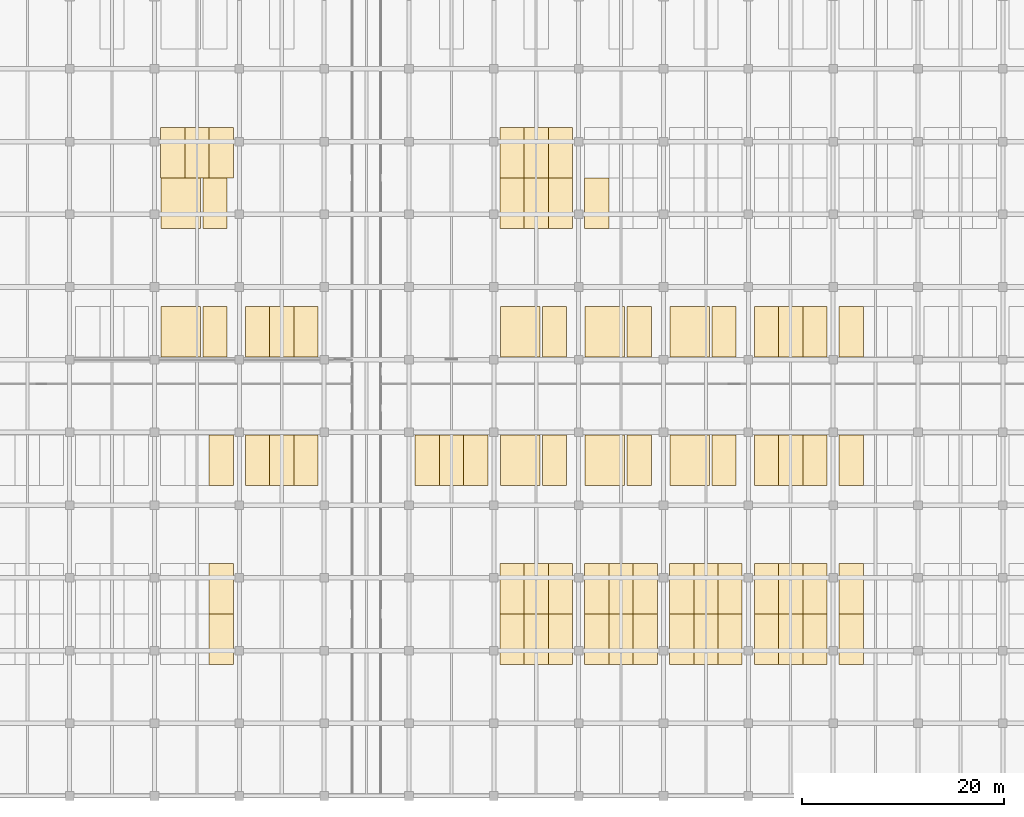
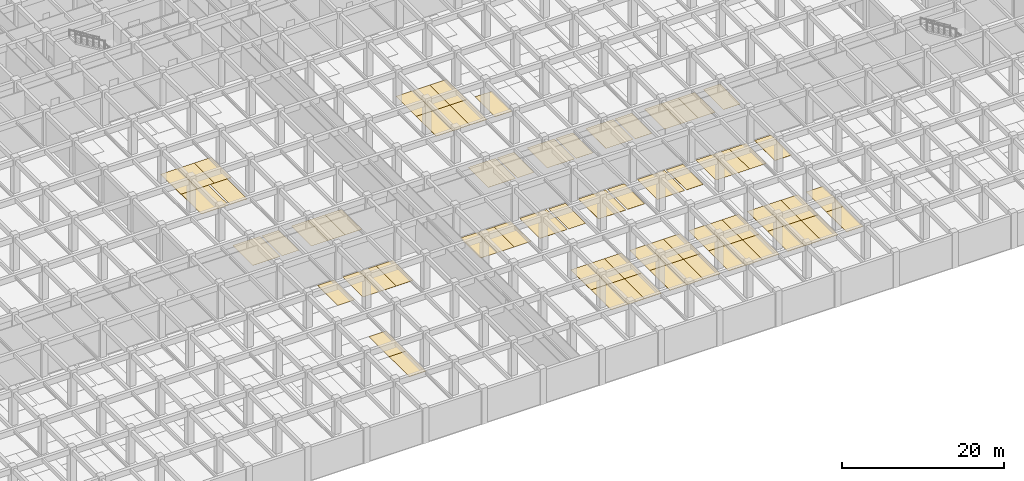
# One storey, part 42 of 48: 72 coverings.
"""IFC4 building model written with IfcOpenShell, lengths in metres."""

from ifc_helpers import new_model, si_unit, direction, frame, origin, place, context, subcontext, project, spatial, polyline, outline, extrude, material, layer, layer_set, type_object, element, save


model = new_model("IFC4")

# Units and contexts
model_context = context("Model", 3, precision=1e-05, world=origin(), true_north=direction((0.0, 1.0)))
body_context = subcontext(model_context, "Body", "Model", "MODEL_VIEW")
ifc_project = project(units=[si_unit("LENGTHUNIT", "METRE"), si_unit("AREAUNIT", "SQUARE_METRE"), si_unit("VOLUMEUNIT", "CUBIC_METRE"), si_unit("PLANEANGLEUNIT", "RADIAN"), si_unit("MASSUNIT", "GRAM", prefix="KILO")], contexts=[model_context])

# Site, building, storey
site_placement = place(None, origin())
site = spatial("IfcSite", under=ifc_project, at=site_placement, CompositionType="ELEMENT")
building_placement = place(site_placement, origin())
building = spatial("IfcBuilding", under=site, at=building_placement, Name="Chengyuan Square Courthouse", CompositionType="ELEMENT")
storey_placement = place(building_placement, frame((0.0, 0.0, -5.39990234375)))
storey = spatial("IfcBuildingStorey", under=building, at=storey_placement, Name="B01", CompositionType="ELEMENT", Elevation=-5.39990234375)

# Coverings
ifc_material_1 = material(Name="Thermoplastic Parking Bay Marking Paint")
ifc_layer_1 = layer(ifc_material_1, 0.010009765625)
ifc_layer_set_1 = layer_set([ifc_layer_1], Name="Thermoplastic Parking Bay Marking Paint")
covering_type_1 = type_object("IfcCoveringType", Name="PKB-01", PredefinedType="FLOORING", material=ifc_layer_set_1)
covering_1_placement = place(storey_placement, origin())
element("IfcCovering", 1, at=covering_1_placement, inside=storey, type_object=covering_type_1, Name="Parking Bay Marking B01-P015", PredefinedType="FLOORING", context=body_context, shape_type="SweptSolid", body=[
    extrude(outline(polyline([(64.199951171875, 30.75), (66.60009765625, 30.75), (66.60009765625, 35.75), (64.199951171875, 35.75), (64.199951171875, 30.75)])), origin(), (0.0, 0.0, 1.0), 0.010009765625),
])
covering_2_placement = place(storey_placement, origin())
element("IfcCovering", 2, at=covering_2_placement, inside=storey, type_object=covering_type_1, Name="Parking Bay Marking B01-P016", PredefinedType="FLOORING", context=body_context, shape_type="SweptSolid", body=[
    extrude(outline(polyline([(67.800048828125, 30.75), (70.199951171875, 30.75), (70.199951171875, 35.75), (67.800048828125, 35.75), (67.800048828125, 30.75)])), origin(), (0.0, 0.0, 1.0), 0.010009765625),
])
covering_3_placement = place(storey_placement, origin())
element("IfcCovering", 3, at=covering_3_placement, inside=storey, type_object=covering_type_1, Name="Parking Bay Marking B01-P017", PredefinedType="FLOORING", context=body_context, shape_type="SweptSolid", body=[
    extrude(outline(polyline([(70.199951171875, 30.75), (72.60009765625, 30.75), (72.60009765625, 35.75), (70.199951171875, 35.75), (70.199951171875, 30.75)])), origin(), (0.0, 0.0, 1.0), 0.010009765625),
])
covering_4_placement = place(storey_placement, origin())
element("IfcCovering", 4, at=covering_4_placement, inside=storey, type_object=covering_type_1, Name="Parking Bay Marking B01-P018", PredefinedType="FLOORING", context=body_context, shape_type="SweptSolid", body=[
    extrude(outline(polyline([(72.60009765625, 30.75), (75.0, 30.75), (75.0, 35.75), (72.60009765625, 35.75), (72.60009765625, 30.75)])), origin(), (0.0, 0.0, 1.0), 0.010009765625),
])
covering_5_placement = place(storey_placement, origin())
element("IfcCovering", 5, at=covering_5_placement, inside=storey, type_object=covering_type_1, Name="Parking Bay Marking B01-P039", PredefinedType="FLOORING", context=body_context, shape_type="SweptSolid", body=[
    extrude(outline(polyline([(64.199951171875, 18.0), (66.60009765625, 18.0), (66.60009765625, 23.0), (64.199951171875, 23.0), (64.199951171875, 18.0)])), origin(), (0.0, 0.0, 1.0), 0.010009765625),
])
covering_6_placement = place(storey_placement, origin())
element("IfcCovering", 6, at=covering_6_placement, inside=storey, type_object=covering_type_1, Name="Parking Bay Marking B01-P060", PredefinedType="FLOORING", context=body_context, shape_type="SweptSolid", body=[
    extrude(outline(polyline([(64.199951171875, 13.0), (66.60009765625, 13.0), (66.60009765625, 18.0), (64.199951171875, 18.0), (64.199951171875, 13.0)])), origin(), (0.0, 0.0, 1.0), 0.010009765625),
])
covering_7_placement = place(storey_placement, origin())
element("IfcCovering", 7, at=covering_7_placement, inside=storey, type_object=covering_type_1, Name="Parking Bay Marking B01-P061", PredefinedType="FLOORING", context=body_context, shape_type="SweptSolid", body=[
    extrude(outline(polyline([(84.60009765625, 30.75), (87.0, 30.75), (87.0, 35.75), (84.60009765625, 35.75), (84.60009765625, 30.75)])), origin(), (0.0, 0.0, 1.0), 0.010009765625),
])
covering_8_placement = place(storey_placement, origin())
element("IfcCovering", 8, at=covering_8_placement, inside=storey, type_object=covering_type_1, Name="Parking Bay Marking B01-P062", PredefinedType="FLOORING", context=body_context, shape_type="SweptSolid", body=[
    extrude(outline(polyline([(87.0, 30.75), (89.39990234375, 30.75), (89.39990234375, 35.75), (87.0, 35.75), (87.0, 30.75)])), origin(), (0.0, 0.0, 1.0), 0.010009765625),
])
covering_9_placement = place(storey_placement, origin())
element("IfcCovering", 9, at=covering_9_placement, inside=storey, type_object=covering_type_1, Name="Parking Bay Marking B01-P063", PredefinedType="FLOORING", context=body_context, shape_type="SweptSolid", body=[
    extrude(outline(polyline([(89.39990234375, 30.75), (91.800048828125, 30.75), (91.800048828125, 35.75), (89.39990234375, 35.75), (89.39990234375, 30.75)])), origin(), (0.0, 0.0, 1.0), 0.010009765625),
])
covering_10_placement = place(storey_placement, origin())
element("IfcCovering", 10, at=covering_10_placement, inside=storey, type_object=covering_type_1, Name="Parking Bay Marking B01-P064", PredefinedType="FLOORING", context=body_context, shape_type="SweptSolid", body=[
    extrude(outline(polyline([(97.199951171875, 30.75), (99.60009765625, 30.75), (99.60009765625, 35.75), (97.199951171875, 35.75), (97.199951171875, 30.75)])), origin(), (0.0, 0.0, 1.0), 0.010009765625),
])
covering_11_placement = place(storey_placement, origin())
element("IfcCovering", 11, at=covering_11_placement, inside=storey, type_object=covering_type_1, Name="Parking Bay Marking B01-P065", PredefinedType="FLOORING", context=body_context, shape_type="SweptSolid", body=[
    extrude(outline(polyline([(105.60009765625, 30.75), (108.0, 30.75), (108.0, 35.75), (105.60009765625, 35.75), (105.60009765625, 30.75)])), origin(), (0.0, 0.0, 1.0), 0.010009765625),
])
covering_12_placement = place(storey_placement, origin())
element("IfcCovering", 12, at=covering_12_placement, inside=storey, type_object=covering_type_1, Name="Parking Bay Marking B01-P066", PredefinedType="FLOORING", context=body_context, shape_type="SweptSolid", body=[
    extrude(outline(polyline([(114.0, 30.75), (116.39990234375, 30.75), (116.39990234375, 35.75), (114.0, 35.75), (114.0, 30.75)])), origin(), (0.0, 0.0, 1.0), 0.010009765625),
])
covering_13_placement = place(storey_placement, origin())
element("IfcCovering", 13, at=covering_13_placement, inside=storey, type_object=covering_type_1, Name="Parking Bay Marking B01-P067", PredefinedType="FLOORING", context=body_context, shape_type="SweptSolid", body=[
    extrude(outline(polyline([(118.199951171875, 30.75), (120.60009765625, 30.75), (120.60009765625, 35.75), (118.199951171875, 35.75), (118.199951171875, 30.75)])), origin(), (0.0, 0.0, 1.0), 0.010009765625),
])
covering_14_placement = place(storey_placement, origin())
element("IfcCovering", 14, at=covering_14_placement, inside=storey, type_object=covering_type_1, Name="Parking Bay Marking B01-P068", PredefinedType="FLOORING", context=body_context, shape_type="SweptSolid", body=[
    extrude(outline(polyline([(120.60009765625, 30.75), (123.0, 30.75), (123.0, 35.75), (120.60009765625, 35.75), (120.60009765625, 30.75)])), origin(), (0.0, 0.0, 1.0), 0.010009765625),
])
covering_15_placement = place(storey_placement, origin())
element("IfcCovering", 15, at=covering_15_placement, inside=storey, type_object=covering_type_1, Name="Parking Bay Marking B01-P069", PredefinedType="FLOORING", context=body_context, shape_type="SweptSolid", body=[
    extrude(outline(polyline([(123.0, 30.75), (125.39990234375, 30.75), (125.39990234375, 35.75), (123.0, 35.75), (123.0, 30.75)])), origin(), (0.0, 0.0, 1.0), 0.010009765625),
])
covering_16_placement = place(storey_placement, origin())
element("IfcCovering", 16, at=covering_16_placement, inside=storey, type_object=covering_type_1, Name="Parking Bay Marking B01-P070", PredefinedType="FLOORING", context=body_context, shape_type="SweptSolid", body=[
    extrude(outline(polyline([(126.60009765625, 30.75), (129.0, 30.75), (129.0, 35.75), (126.60009765625, 35.75), (126.60009765625, 30.75)])), origin(), (0.0, 0.0, 1.0), 0.010009765625),
])
covering_17_placement = place(storey_placement, origin())
element("IfcCovering", 17, at=covering_17_placement, inside=storey, type_object=covering_type_1, Name="Parking Bay Marking B01-P082", PredefinedType="FLOORING", context=body_context, shape_type="SweptSolid", body=[
    extrude(outline(polyline([(93.0, 18.0), (95.39990234375, 18.0), (95.39990234375, 23.0), (93.0, 23.0), (93.0, 18.0)])), origin(), (0.0, 0.0, 1.0), 0.010009765625),
])
covering_18_placement = place(storey_placement, origin())
element("IfcCovering", 18, at=covering_18_placement, inside=storey, type_object=covering_type_1, Name="Parking Bay Marking B01-P083", PredefinedType="FLOORING", context=body_context, shape_type="SweptSolid", body=[
    extrude(outline(polyline([(95.39990234375, 18.0), (97.800048828125, 18.0), (97.800048828125, 23.0), (95.39990234375, 23.0), (95.39990234375, 18.0)])), origin(), (0.0, 0.0, 1.0), 0.010009765625),
])
covering_19_placement = place(storey_placement, origin())
element("IfcCovering", 19, at=covering_19_placement, inside=storey, type_object=covering_type_1, Name="Parking Bay Marking B01-P084", PredefinedType="FLOORING", context=body_context, shape_type="SweptSolid", body=[
    extrude(outline(polyline([(97.800048828125, 18.0), (100.199951171875, 18.0), (100.199951171875, 23.0), (97.800048828125, 23.0), (97.800048828125, 18.0)])), origin(), (0.0, 0.0, 1.0), 0.010009765625),
])
covering_20_placement = place(storey_placement, origin())
element("IfcCovering", 20, at=covering_20_placement, inside=storey, type_object=covering_type_1, Name="Parking Bay Marking B01-P085", PredefinedType="FLOORING", context=body_context, shape_type="SweptSolid", body=[
    extrude(outline(polyline([(101.39990234375, 18.0), (103.800048828125, 18.0), (103.800048828125, 23.0), (101.39990234375, 23.0), (101.39990234375, 18.0)])), origin(), (0.0, 0.0, 1.0), 0.010009765625),
])
covering_21_placement = place(storey_placement, origin())
element("IfcCovering", 21, at=covering_21_placement, inside=storey, type_object=covering_type_1, Name="Parking Bay Marking B01-P086", PredefinedType="FLOORING", context=body_context, shape_type="SweptSolid", body=[
    extrude(outline(polyline([(103.800048828125, 18.0), (106.199951171875, 18.0), (106.199951171875, 23.0), (103.800048828125, 23.0), (103.800048828125, 18.0)])), origin(), (0.0, 0.0, 1.0), 0.010009765625),
])
covering_22_placement = place(storey_placement, origin())
element("IfcCovering", 22, at=covering_22_placement, inside=storey, type_object=covering_type_1, Name="Parking Bay Marking B01-P087", PredefinedType="FLOORING", context=body_context, shape_type="SweptSolid", body=[
    extrude(outline(polyline([(106.199951171875, 18.0), (108.60009765625, 18.0), (108.60009765625, 23.0), (106.199951171875, 23.0), (106.199951171875, 18.0)])), origin(), (0.0, 0.0, 1.0), 0.010009765625),
])
covering_23_placement = place(storey_placement, origin())
element("IfcCovering", 23, at=covering_23_placement, inside=storey, type_object=covering_type_1, Name="Parking Bay Marking B01-P088", PredefinedType="FLOORING", context=body_context, shape_type="SweptSolid", body=[
    extrude(outline(polyline([(109.800048828125, 18.0), (112.199951171875, 18.0), (112.199951171875, 23.0), (109.800048828125, 23.0), (109.800048828125, 18.0)])), origin(), (0.0, 0.0, 1.0), 0.010009765625),
])
covering_24_placement = place(storey_placement, origin())
element("IfcCovering", 24, at=covering_24_placement, inside=storey, type_object=covering_type_1, Name="Parking Bay Marking B01-P089", PredefinedType="FLOORING", context=body_context, shape_type="SweptSolid", body=[
    extrude(outline(polyline([(112.199951171875, 18.0), (114.60009765625, 18.0), (114.60009765625, 23.0), (112.199951171875, 23.0), (112.199951171875, 18.0)])), origin(), (0.0, 0.0, 1.0), 0.010009765625),
])
covering_25_placement = place(storey_placement, origin())
element("IfcCovering", 25, at=covering_25_placement, inside=storey, type_object=covering_type_1, Name="Parking Bay Marking B01-P090", PredefinedType="FLOORING", context=body_context, shape_type="SweptSolid", body=[
    extrude(outline(polyline([(114.60009765625, 18.0), (117.0, 18.0), (117.0, 23.0), (114.60009765625, 23.0), (114.60009765625, 18.0)])), origin(), (0.0, 0.0, 1.0), 0.010009765625),
])
covering_26_placement = place(storey_placement, origin())
element("IfcCovering", 26, at=covering_26_placement, inside=storey, type_object=covering_type_1, Name="Parking Bay Marking B01-P091", PredefinedType="FLOORING", context=body_context, shape_type="SweptSolid", body=[
    extrude(outline(polyline([(118.199951171875, 18.0), (120.60009765625, 18.0), (120.60009765625, 23.0), (118.199951171875, 23.0), (118.199951171875, 18.0)])), origin(), (0.0, 0.0, 1.0), 0.010009765625),
])
covering_27_placement = place(storey_placement, origin())
element("IfcCovering", 27, at=covering_27_placement, inside=storey, type_object=covering_type_1, Name="Parking Bay Marking B01-P092", PredefinedType="FLOORING", context=body_context, shape_type="SweptSolid", body=[
    extrude(outline(polyline([(120.60009765625, 18.0), (123.0, 18.0), (123.0, 23.0), (120.60009765625, 23.0), (120.60009765625, 18.0)])), origin(), (0.0, 0.0, 1.0), 0.010009765625),
])
covering_28_placement = place(storey_placement, origin())
element("IfcCovering", 28, at=covering_28_placement, inside=storey, type_object=covering_type_1, Name="Parking Bay Marking B01-P093", PredefinedType="FLOORING", context=body_context, shape_type="SweptSolid", body=[
    extrude(outline(polyline([(123.0, 18.0), (125.39990234375, 18.0), (125.39990234375, 23.0), (123.0, 23.0), (123.0, 18.0)])), origin(), (0.0, 0.0, 1.0), 0.010009765625),
])
covering_29_placement = place(storey_placement, origin())
element("IfcCovering", 29, at=covering_29_placement, inside=storey, type_object=covering_type_1, Name="Parking Bay Marking B01-P094", PredefinedType="FLOORING", context=body_context, shape_type="SweptSolid", body=[
    extrude(outline(polyline([(126.60009765625, 18.0), (129.0, 18.0), (129.0, 23.0), (126.60009765625, 23.0), (126.60009765625, 18.0)])), origin(), (0.0, 0.0, 1.0), 0.010009765625),
])
covering_30_placement = place(storey_placement, origin())
element("IfcCovering", 30, at=covering_30_placement, inside=storey, type_object=covering_type_1, Name="Parking Bay Marking B01-P106", PredefinedType="FLOORING", context=body_context, shape_type="SweptSolid", body=[
    extrude(outline(polyline([(93.0, 13.0), (95.39990234375, 13.0), (95.39990234375, 18.0), (93.0, 18.0), (93.0, 13.0)])), origin(), (0.0, 0.0, 1.0), 0.010009765625),
])
covering_31_placement = place(storey_placement, origin())
element("IfcCovering", 31, at=covering_31_placement, inside=storey, type_object=covering_type_1, Name="Parking Bay Marking B01-P107", PredefinedType="FLOORING", context=body_context, shape_type="SweptSolid", body=[
    extrude(outline(polyline([(95.39990234375, 13.0), (97.800048828125, 13.0), (97.800048828125, 18.0), (95.39990234375, 18.0), (95.39990234375, 13.0)])), origin(), (0.0, 0.0, 1.0), 0.010009765625),
])
covering_32_placement = place(storey_placement, origin())
element("IfcCovering", 32, at=covering_32_placement, inside=storey, type_object=covering_type_1, Name="Parking Bay Marking B01-P108", PredefinedType="FLOORING", context=body_context, shape_type="SweptSolid", body=[
    extrude(outline(polyline([(97.800048828125, 13.0), (100.199951171875, 13.0), (100.199951171875, 18.0), (97.800048828125, 18.0), (97.800048828125, 13.0)])), origin(), (0.0, 0.0, 1.0), 0.010009765625),
])
covering_33_placement = place(storey_placement, origin())
element("IfcCovering", 33, at=covering_33_placement, inside=storey, type_object=covering_type_1, Name="Parking Bay Marking B01-P109", PredefinedType="FLOORING", context=body_context, shape_type="SweptSolid", body=[
    extrude(outline(polyline([(101.39990234375, 13.0), (103.800048828125, 13.0), (103.800048828125, 18.0), (101.39990234375, 18.0), (101.39990234375, 13.0)])), origin(), (0.0, 0.0, 1.0), 0.010009765625),
])
covering_34_placement = place(storey_placement, origin())
element("IfcCovering", 34, at=covering_34_placement, inside=storey, type_object=covering_type_1, Name="Parking Bay Marking B01-P110", PredefinedType="FLOORING", context=body_context, shape_type="SweptSolid", body=[
    extrude(outline(polyline([(103.800048828125, 13.0), (106.199951171875, 13.0), (106.199951171875, 18.0), (103.800048828125, 18.0), (103.800048828125, 13.0)])), origin(), (0.0, 0.0, 1.0), 0.010009765625),
])
covering_35_placement = place(storey_placement, origin())
element("IfcCovering", 35, at=covering_35_placement, inside=storey, type_object=covering_type_1, Name="Parking Bay Marking B01-P111", PredefinedType="FLOORING", context=body_context, shape_type="SweptSolid", body=[
    extrude(outline(polyline([(106.199951171875, 13.0), (108.60009765625, 13.0), (108.60009765625, 18.0), (106.199951171875, 18.0), (106.199951171875, 13.0)])), origin(), (0.0, 0.0, 1.0), 0.010009765625),
])
covering_36_placement = place(storey_placement, origin())
element("IfcCovering", 36, at=covering_36_placement, inside=storey, type_object=covering_type_1, Name="Parking Bay Marking B01-P112", PredefinedType="FLOORING", context=body_context, shape_type="SweptSolid", body=[
    extrude(outline(polyline([(109.800048828125, 13.0), (112.199951171875, 13.0), (112.199951171875, 18.0), (109.800048828125, 18.0), (109.800048828125, 13.0)])), origin(), (0.0, 0.0, 1.0), 0.010009765625),
])
covering_37_placement = place(storey_placement, origin())
element("IfcCovering", 37, at=covering_37_placement, inside=storey, type_object=covering_type_1, Name="Parking Bay Marking B01-P113", PredefinedType="FLOORING", context=body_context, shape_type="SweptSolid", body=[
    extrude(outline(polyline([(112.199951171875, 13.0), (114.60009765625, 13.0), (114.60009765625, 18.0), (112.199951171875, 18.0), (112.199951171875, 13.0)])), origin(), (0.0, 0.0, 1.0), 0.010009765625),
])
covering_38_placement = place(storey_placement, origin())
element("IfcCovering", 38, at=covering_38_placement, inside=storey, type_object=covering_type_1, Name="Parking Bay Marking B01-P114", PredefinedType="FLOORING", context=body_context, shape_type="SweptSolid", body=[
    extrude(outline(polyline([(114.60009765625, 13.0), (117.0, 13.0), (117.0, 18.0), (114.60009765625, 18.0), (114.60009765625, 13.0)])), origin(), (0.0, 0.0, 1.0), 0.010009765625),
])
covering_39_placement = place(storey_placement, origin())
element("IfcCovering", 39, at=covering_39_placement, inside=storey, type_object=covering_type_1, Name="Parking Bay Marking B01-P115", PredefinedType="FLOORING", context=body_context, shape_type="SweptSolid", body=[
    extrude(outline(polyline([(118.199951171875, 13.0), (120.60009765625, 13.0), (120.60009765625, 18.0), (118.199951171875, 18.0), (118.199951171875, 13.0)])), origin(), (0.0, 0.0, 1.0), 0.010009765625),
])
covering_40_placement = place(storey_placement, origin())
element("IfcCovering", 40, at=covering_40_placement, inside=storey, type_object=covering_type_1, Name="Parking Bay Marking B01-P116", PredefinedType="FLOORING", context=body_context, shape_type="SweptSolid", body=[
    extrude(outline(polyline([(120.60009765625, 13.0), (123.0, 13.0), (123.0, 18.0), (120.60009765625, 18.0), (120.60009765625, 13.0)])), origin(), (0.0, 0.0, 1.0), 0.010009765625),
])
covering_41_placement = place(storey_placement, origin())
element("IfcCovering", 41, at=covering_41_placement, inside=storey, type_object=covering_type_1, Name="Parking Bay Marking B01-P117", PredefinedType="FLOORING", context=body_context, shape_type="SweptSolid", body=[
    extrude(outline(polyline([(123.0, 13.0), (125.39990234375, 13.0), (125.39990234375, 18.0), (123.0, 18.0), (123.0, 13.0)])), origin(), (0.0, 0.0, 1.0), 0.010009765625),
])
covering_42_placement = place(storey_placement, origin())
element("IfcCovering", 42, at=covering_42_placement, inside=storey, type_object=covering_type_1, Name="Parking Bay Marking B01-P118", PredefinedType="FLOORING", context=body_context, shape_type="SweptSolid", body=[
    extrude(outline(polyline([(126.60009765625, 13.0), (129.0, 13.0), (129.0, 18.0), (126.60009765625, 18.0), (126.60009765625, 13.0)])), origin(), (0.0, 0.0, 1.0), 0.010009765625),
])
covering_43_placement = place(storey_placement, origin())
element("IfcCovering", 43, at=covering_43_placement, inside=storey, type_object=covering_type_1, Name="Parking Bay Marking B01-P133", PredefinedType="FLOORING", context=body_context, shape_type="SweptSolid", body=[
    extrude(outline(polyline([(63.60009765625, 43.449951171875), (66.0, 43.449951171875), (66.0, 48.449951171875), (63.60009765625, 48.449951171875), (63.60009765625, 43.449951171875)])), origin(), (0.0, 0.0, 1.0), 0.010009765625),
])
covering_44_placement = place(storey_placement, origin())
element("IfcCovering", 44, at=covering_44_placement, inside=storey, type_object=covering_type_1, Name="Parking Bay Marking B01-P134", PredefinedType="FLOORING", context=body_context, shape_type="SweptSolid", body=[
    extrude(outline(polyline([(67.800048828125, 43.449951171875), (70.199951171875, 43.449951171875), (70.199951171875, 48.449951171875), (67.800048828125, 48.449951171875), (67.800048828125, 43.449951171875)])), origin(), (0.0, 0.0, 1.0), 0.010009765625),
])
covering_45_placement = place(storey_placement, origin())
element("IfcCovering", 45, at=covering_45_placement, inside=storey, type_object=covering_type_1, Name="Parking Bay Marking B01-P135", PredefinedType="FLOORING", context=body_context, shape_type="SweptSolid", body=[
    extrude(outline(polyline([(70.199951171875, 43.449951171875), (72.60009765625, 43.449951171875), (72.60009765625, 48.449951171875), (70.199951171875, 48.449951171875), (70.199951171875, 43.449951171875)])), origin(), (0.0, 0.0, 1.0), 0.010009765625),
])
covering_46_placement = place(storey_placement, origin())
element("IfcCovering", 46, at=covering_46_placement, inside=storey, type_object=covering_type_1, Name="Parking Bay Marking B01-P136", PredefinedType="FLOORING", context=body_context, shape_type="SweptSolid", body=[
    extrude(outline(polyline([(72.60009765625, 43.449951171875), (75.0, 43.449951171875), (75.0, 48.449951171875), (72.60009765625, 48.449951171875), (72.60009765625, 43.449951171875)])), origin(), (0.0, 0.0, 1.0), 0.010009765625),
])
covering_47_placement = place(storey_placement, origin())
element("IfcCovering", 47, at=covering_47_placement, inside=storey, type_object=covering_type_1, Name="Parking Bay Marking B01-P140", PredefinedType="FLOORING", context=body_context, shape_type="SweptSolid", body=[
    extrude(outline(polyline([(63.60009765625, 56.199951171875), (66.0, 56.199951171875), (66.0, 61.199951171875), (63.60009765625, 61.199951171875), (63.60009765625, 56.199951171875)])), origin(), (0.0, 0.0, 1.0), 0.010009765625),
])
covering_48_placement = place(storey_placement, origin())
element("IfcCovering", 48, at=covering_48_placement, inside=storey, type_object=covering_type_1, Name="Parking Bay Marking B01-P141", PredefinedType="FLOORING", context=body_context, shape_type="SweptSolid", body=[
    extrude(outline(polyline([(59.39990234375, 61.199951171875), (61.800048828125, 61.199951171875), (61.800048828125, 66.199951171875), (59.39990234375, 66.199951171875), (59.39990234375, 61.199951171875)])), origin(), (0.0, 0.0, 1.0), 0.010009765625),
])
covering_49_placement = place(storey_placement, origin())
element("IfcCovering", 49, at=covering_49_placement, inside=storey, type_object=covering_type_1, Name="Parking Bay Marking B01-P142", PredefinedType="FLOORING", context=body_context, shape_type="SweptSolid", body=[
    extrude(outline(polyline([(61.800048828125, 61.199951171875), (64.199951171875, 61.199951171875), (64.199951171875, 66.199951171875), (61.800048828125, 66.199951171875), (61.800048828125, 61.199951171875)])), origin(), (0.0, 0.0, 1.0), 0.010009765625),
])
covering_50_placement = place(storey_placement, origin())
element("IfcCovering", 50, at=covering_50_placement, inside=storey, type_object=covering_type_1, Name="Parking Bay Marking B01-P143", PredefinedType="FLOORING", context=body_context, shape_type="SweptSolid", body=[
    extrude(outline(polyline([(64.199951171875, 61.199951171875), (66.60009765625, 61.199951171875), (66.60009765625, 66.199951171875), (64.199951171875, 66.199951171875), (64.199951171875, 61.199951171875)])), origin(), (0.0, 0.0, 1.0), 0.010009765625),
])
covering_51_placement = place(storey_placement, origin())
element("IfcCovering", 51, at=covering_51_placement, inside=storey, type_object=covering_type_1, Name="Parking Bay Marking B01-P144", PredefinedType="FLOORING", context=body_context, shape_type="SweptSolid", body=[
    extrude(outline(polyline([(97.199951171875, 43.449951171875), (99.60009765625, 43.449951171875), (99.60009765625, 48.449951171875), (97.199951171875, 48.449951171875), (97.199951171875, 43.449951171875)])), origin(), (0.0, 0.0, 1.0), 0.010009765625),
])
covering_52_placement = place(storey_placement, origin())
element("IfcCovering", 52, at=covering_52_placement, inside=storey, type_object=covering_type_1, Name="Parking Bay Marking B01-P145", PredefinedType="FLOORING", context=body_context, shape_type="SweptSolid", body=[
    extrude(outline(polyline([(105.60009765625, 43.449951171875), (108.0, 43.449951171875), (108.0, 48.449951171875), (105.60009765625, 48.449951171875), (105.60009765625, 43.449951171875)])), origin(), (0.0, 0.0, 1.0), 0.010009765625),
])
covering_53_placement = place(storey_placement, origin())
element("IfcCovering", 53, at=covering_53_placement, inside=storey, type_object=covering_type_1, Name="Parking Bay Marking B01-P146", PredefinedType="FLOORING", context=body_context, shape_type="SweptSolid", body=[
    extrude(outline(polyline([(114.0, 43.449951171875), (116.39990234375, 43.449951171875), (116.39990234375, 48.449951171875), (114.0, 48.449951171875), (114.0, 43.449951171875)])), origin(), (0.0, 0.0, 1.0), 0.010009765625),
])
covering_54_placement = place(storey_placement, origin())
element("IfcCovering", 54, at=covering_54_placement, inside=storey, type_object=covering_type_1, Name="Parking Bay Marking B01-P147", PredefinedType="FLOORING", context=body_context, shape_type="SweptSolid", body=[
    extrude(outline(polyline([(118.199951171875, 43.449951171875), (120.60009765625, 43.449951171875), (120.60009765625, 48.449951171875), (118.199951171875, 48.449951171875), (118.199951171875, 43.449951171875)])), origin(), (0.0, 0.0, 1.0), 0.010009765625),
])
covering_55_placement = place(storey_placement, origin())
element("IfcCovering", 55, at=covering_55_placement, inside=storey, type_object=covering_type_1, Name="Parking Bay Marking B01-P148", PredefinedType="FLOORING", context=body_context, shape_type="SweptSolid", body=[
    extrude(outline(polyline([(120.60009765625, 43.449951171875), (123.0, 43.449951171875), (123.0, 48.449951171875), (120.60009765625, 48.449951171875), (120.60009765625, 43.449951171875)])), origin(), (0.0, 0.0, 1.0), 0.010009765625),
])
covering_56_placement = place(storey_placement, origin())
element("IfcCovering", 56, at=covering_56_placement, inside=storey, type_object=covering_type_1, Name="Parking Bay Marking B01-P149", PredefinedType="FLOORING", context=body_context, shape_type="SweptSolid", body=[
    extrude(outline(polyline([(123.0, 43.449951171875), (125.39990234375, 43.449951171875), (125.39990234375, 48.449951171875), (123.0, 48.449951171875), (123.0, 43.449951171875)])), origin(), (0.0, 0.0, 1.0), 0.010009765625),
])
covering_57_placement = place(storey_placement, origin())
element("IfcCovering", 57, at=covering_57_placement, inside=storey, type_object=covering_type_1, Name="Parking Bay Marking B01-P150", PredefinedType="FLOORING", context=body_context, shape_type="SweptSolid", body=[
    extrude(outline(polyline([(126.60009765625, 43.449951171875), (129.0, 43.449951171875), (129.0, 48.449951171875), (126.60009765625, 48.449951171875), (126.60009765625, 43.449951171875)])), origin(), (0.0, 0.0, 1.0), 0.010009765625),
])
covering_58_placement = place(storey_placement, origin())
element("IfcCovering", 58, at=covering_58_placement, inside=storey, type_object=covering_type_1, Name="Parking Bay Marking B01-P173", PredefinedType="FLOORING", context=body_context, shape_type="SweptSolid", body=[
    extrude(outline(polyline([(93.0, 56.199951171875), (95.39990234375, 56.199951171875), (95.39990234375, 61.199951171875), (93.0, 61.199951171875), (93.0, 56.199951171875)])), origin(), (0.0, 0.0, 1.0), 0.010009765625),
])
covering_59_placement = place(storey_placement, origin())
element("IfcCovering", 59, at=covering_59_placement, inside=storey, type_object=covering_type_1, Name="Parking Bay Marking B01-P174", PredefinedType="FLOORING", context=body_context, shape_type="SweptSolid", body=[
    extrude(outline(polyline([(95.39990234375, 56.199951171875), (97.800048828125, 56.199951171875), (97.800048828125, 61.199951171875), (95.39990234375, 61.199951171875), (95.39990234375, 56.199951171875)])), origin(), (0.0, 0.0, 1.0), 0.010009765625),
])
covering_60_placement = place(storey_placement, origin())
element("IfcCovering", 60, at=covering_60_placement, inside=storey, type_object=covering_type_1, Name="Parking Bay Marking B01-P175", PredefinedType="FLOORING", context=body_context, shape_type="SweptSolid", body=[
    extrude(outline(polyline([(97.800048828125, 56.199951171875), (100.199951171875, 56.199951171875), (100.199951171875, 61.199951171875), (97.800048828125, 61.199951171875), (97.800048828125, 56.199951171875)])), origin(), (0.0, 0.0, 1.0), 0.010009765625),
])
covering_61_placement = place(storey_placement, origin())
element("IfcCovering", 61, at=covering_61_placement, inside=storey, type_object=covering_type_1, Name="Parking Bay Marking B01-P176", PredefinedType="FLOORING", context=body_context, shape_type="SweptSolid", body=[
    extrude(outline(polyline([(101.39990234375, 56.199951171875), (103.800048828125, 56.199951171875), (103.800048828125, 61.199951171875), (101.39990234375, 61.199951171875), (101.39990234375, 56.199951171875)])), origin(), (0.0, 0.0, 1.0), 0.010009765625),
])
covering_62_placement = place(storey_placement, origin())
element("IfcCovering", 62, at=covering_62_placement, inside=storey, type_object=covering_type_1, Name="Parking Bay Marking B01-P191", PredefinedType="FLOORING", context=body_context, shape_type="SweptSolid", body=[
    extrude(outline(polyline([(93.0, 61.199951171875), (95.39990234375, 61.199951171875), (95.39990234375, 66.199951171875), (93.0, 66.199951171875), (93.0, 61.199951171875)])), origin(), (0.0, 0.0, 1.0), 0.010009765625),
])
covering_63_placement = place(storey_placement, origin())
element("IfcCovering", 63, at=covering_63_placement, inside=storey, type_object=covering_type_1, Name="Parking Bay Marking B01-P192", PredefinedType="FLOORING", context=body_context, shape_type="SweptSolid", body=[
    extrude(outline(polyline([(95.39990234375, 61.199951171875), (97.800048828125, 61.199951171875), (97.800048828125, 66.199951171875), (95.39990234375, 66.199951171875), (95.39990234375, 61.199951171875)])), origin(), (0.0, 0.0, 1.0), 0.010009765625),
])
covering_64_placement = place(storey_placement, origin())
element("IfcCovering", 64, at=covering_64_placement, inside=storey, type_object=covering_type_1, Name="Parking Bay Marking B01-P193", PredefinedType="FLOORING", context=body_context, shape_type="SweptSolid", body=[
    extrude(outline(polyline([(97.800048828125, 61.199951171875), (100.199951171875, 61.199951171875), (100.199951171875, 66.199951171875), (97.800048828125, 66.199951171875), (97.800048828125, 61.199951171875)])), origin(), (0.0, 0.0, 1.0), 0.010009765625),
])
ifc_material_2 = material(Name="Thermoplastic Accessible Parking Bay Marking Paint")
ifc_layer_2 = layer(ifc_material_2, 0.010009765625)
ifc_layer_set_2 = layer_set([ifc_layer_2], Name="Thermoplastic Accessible Parking Bay Marking Paint")
covering_type_2 = type_object("IfcCoveringType", Name="PKB-02", PredefinedType="FLOORING", material=ifc_layer_set_2)
covering_65_placement = place(storey_placement, origin())
element("IfcCovering", 65, at=covering_65_placement, inside=storey, type_object=covering_type_2, Name="Accessible Parking Bay Marking B01-AP04", PredefinedType="FLOORING", context=body_context, shape_type="SweptSolid", body=[
    extrude(outline(polyline([(93.050048828125, 30.75), (96.949951171875, 30.75), (96.949951171875, 35.75), (93.050048828125, 35.75), (93.050048828125, 30.75)])), origin(), (0.0, 0.0, 1.0), 0.010009765625),
])
covering_66_placement = place(storey_placement, origin())
element("IfcCovering", 66, at=covering_66_placement, inside=storey, type_object=covering_type_2, Name="Accessible Parking Bay Marking B01-AP05", PredefinedType="FLOORING", context=body_context, shape_type="SweptSolid", body=[
    extrude(outline(polyline([(101.449951171875, 30.75), (105.35009765625, 30.75), (105.35009765625, 35.75), (101.449951171875, 35.75), (101.449951171875, 30.75)])), origin(), (0.0, 0.0, 1.0), 0.010009765625),
])
covering_67_placement = place(storey_placement, origin())
element("IfcCovering", 67, at=covering_67_placement, inside=storey, type_object=covering_type_2, Name="Accessible Parking Bay Marking B01-AP06", PredefinedType="FLOORING", context=body_context, shape_type="SweptSolid", body=[
    extrude(outline(polyline([(109.85009765625, 30.75), (113.75, 30.75), (113.75, 35.75), (109.85009765625, 35.75), (109.85009765625, 30.75)])), origin(), (0.0, 0.0, 1.0), 0.010009765625),
])
covering_68_placement = place(storey_placement, origin())
element("IfcCovering", 68, at=covering_68_placement, inside=storey, type_object=covering_type_2, Name="Accessible Parking Bay Marking B01-AP07", PredefinedType="FLOORING", context=body_context, shape_type="SweptSolid", body=[
    extrude(outline(polyline([(59.449951171875, 43.449951171875), (63.35009765625, 43.449951171875), (63.35009765625, 48.449951171875), (59.449951171875, 48.449951171875), (59.449951171875, 43.449951171875)])), origin(), (0.0, 0.0, 1.0), 0.010009765625),
])
covering_69_placement = place(storey_placement, origin())
element("IfcCovering", 69, at=covering_69_placement, inside=storey, type_object=covering_type_2, Name="Accessible Parking Bay Marking B01-AP09", PredefinedType="FLOORING", context=body_context, shape_type="SweptSolid", body=[
    extrude(outline(polyline([(59.449951171875, 56.199951171875), (63.35009765625, 56.199951171875), (63.35009765625, 61.199951171875), (59.449951171875, 61.199951171875), (59.449951171875, 56.199951171875)])), origin(), (0.0, 0.0, 1.0), 0.010009765625),
])
covering_70_placement = place(storey_placement, origin())
element("IfcCovering", 70, at=covering_70_placement, inside=storey, type_object=covering_type_2, Name="Accessible Parking Bay Marking B01-AP10", PredefinedType="FLOORING", context=body_context, shape_type="SweptSolid", body=[
    extrude(outline(polyline([(93.050048828125, 43.449951171875), (96.949951171875, 43.449951171875), (96.949951171875, 48.449951171875), (93.050048828125, 48.449951171875), (93.050048828125, 43.449951171875)])), origin(), (0.0, 0.0, 1.0), 0.010009765625),
])
covering_71_placement = place(storey_placement, origin())
element("IfcCovering", 71, at=covering_71_placement, inside=storey, type_object=covering_type_2, Name="Accessible Parking Bay Marking B01-AP11", PredefinedType="FLOORING", context=body_context, shape_type="SweptSolid", body=[
    extrude(outline(polyline([(101.449951171875, 43.449951171875), (105.35009765625, 43.449951171875), (105.35009765625, 48.449951171875), (101.449951171875, 48.449951171875), (101.449951171875, 43.449951171875)])), origin(), (0.0, 0.0, 1.0), 0.010009765625),
])
covering_72_placement = place(storey_placement, origin())
element("IfcCovering", 72, at=covering_72_placement, inside=storey, type_object=covering_type_2, Name="Accessible Parking Bay Marking B01-AP12", PredefinedType="FLOORING", context=body_context, shape_type="SweptSolid", body=[
    extrude(outline(polyline([(109.85009765625, 43.449951171875), (113.75, 43.449951171875), (113.75, 48.449951171875), (109.85009765625, 48.449951171875), (109.85009765625, 43.449951171875)])), origin(), (0.0, 0.0, 1.0), 0.010009765625),
])

save(model, "model.ifc")
